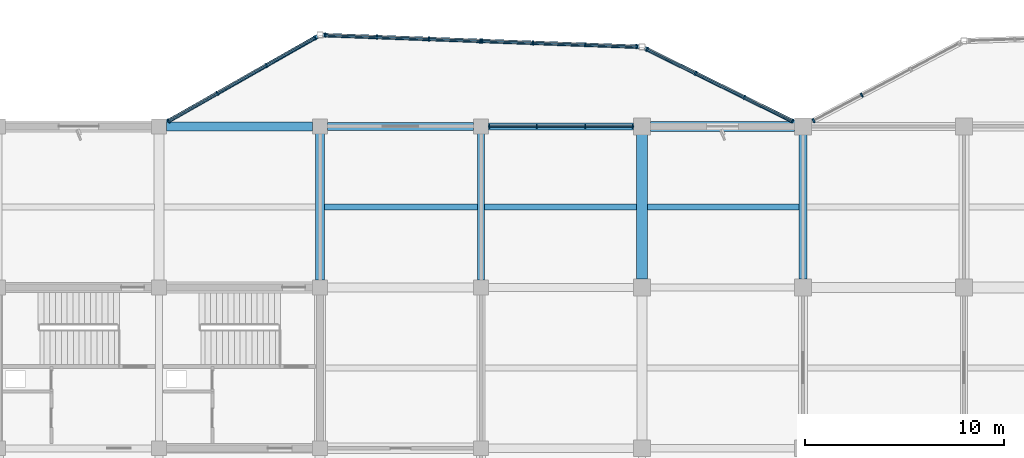
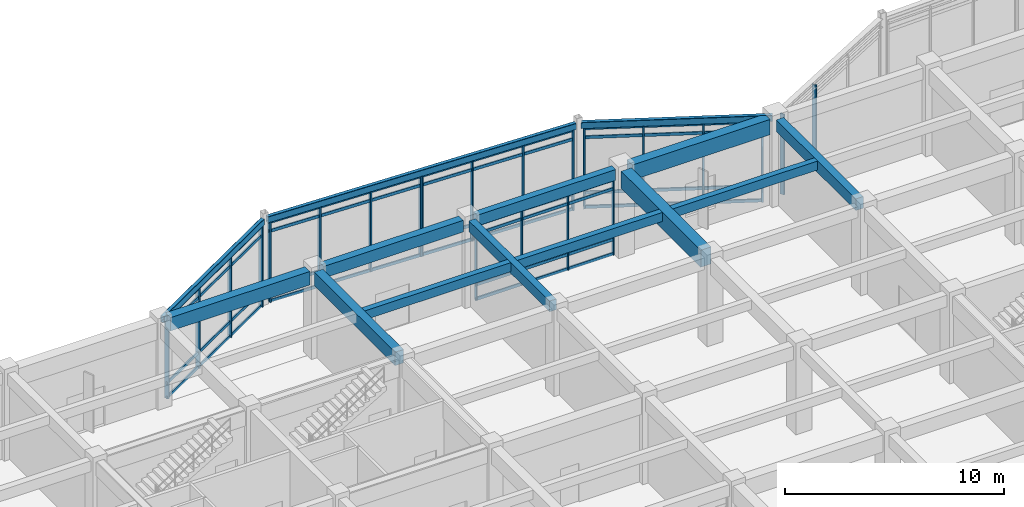
# One storey, part 47 of 99: 42 members, 14 beams, 6 elements without a shape of their own.
"""IFC4 building model written with IfcOpenShell, lengths in metres."""

from ifc_helpers import new_model, si_unit, direction, frame, origin, origin_2d, place, context, subcontext, project, spatial, rectangle, hollow_rectangle, extrude, material, layer, layer_set, material_profile, profile_set, type_object, element, aggregate, save


model = new_model("IFC4")

# Units and contexts
model_context = context("Model", 3, precision=1e-05, world=origin(), true_north=direction((0.0, 1.0)))
body_context = subcontext(model_context, "Body", "Model", "MODEL_VIEW")
ifc_project = project(units=[si_unit("LENGTHUNIT", "METRE"), si_unit("AREAUNIT", "SQUARE_METRE"), si_unit("VOLUMEUNIT", "CUBIC_METRE"), si_unit("PLANEANGLEUNIT", "RADIAN"), si_unit("MASSUNIT", "GRAM", prefix="KILO")], contexts=[model_context])

# Site, building, storey
site_placement = place(None, origin())
site = spatial("IfcSite", under=ifc_project, at=site_placement, CompositionType="ELEMENT")
building_placement = place(site_placement, origin())
building = spatial("IfcBuilding", under=site, at=building_placement, Name="Vaudrelin Polytechnic", CompositionType="ELEMENT")
storey_placement = place(building_placement, origin())
storey = spatial("IfcBuildingStorey", under=building, at=storey_placement, Name="L00", CompositionType="ELEMENT", Elevation=0.0)

# Beams
ifc_material_1 = material(Name="Concrete 40 MPa", Category="concrete")
ifc_material_profile_1 = material_profile(ifc_material_1, rectangle(XDim=0.35009765625, YDim=0.60009765625, at=origin_2d()), Name="RC350x600")
ifc_profile_set_1 = profile_set([ifc_material_profile_1], Name="Concrete 40 MPa")
beam_type_1 = type_object("IfcBeamType", Name="BM-BM-RC3560", PredefinedType="BEAM", material=ifc_profile_set_1)
beam_1_placement = place(storey_placement, frame((129.60009765625, 113.760009765625, 4.52001953125), z_axis=(0.0, 1.0, 0.0), x_axis=(-1.0, 0.0, 0.0)))
element("IfcBeam", 1, at=beam_1_placement, inside=storey, type_object=beam_type_1, Name="L00 Y-beam 17-15", PredefinedType="BEAM", context=body_context, shape_type="SweptSolid", body=[
    extrude(rectangle(XDim=0.35009765625, YDim=0.60009765625, at=origin_2d()), origin(), (0.0, 0.0, 1.0), 7.3798828125),
])
beam_2_placement = place(storey_placement, frame((129.970947265625, 121.5, 4.52001953125), z_axis=(1.0, 0.0, 0.0), x_axis=(0.0, 1.0, 0.0)))
element("IfcBeam", 2, at=beam_2_placement, inside=storey, type_object=beam_type_1, Name="L00 X-beam 17-16", PredefinedType="BEAM", context=body_context, shape_type="SweptSolid", body=[
    extrude(rectangle(XDim=0.35009765625, YDim=0.60009765625, at=origin_2d()), origin(), (0.0, 0.0, 1.0), 7.30810546875),
])
ifc_material_profile_2 = material_profile(ifc_material_1, rectangle(XDim=0.39990234375, YDim=0.64990234375, at=origin_2d()), Name="RC400x650")
ifc_profile_set_2 = profile_set([ifc_material_profile_2], Name="Concrete 40 MPa")
beam_type_2 = type_object("IfcBeamType", Name="BM-BM-RC4065", PredefinedType="BEAM", material=ifc_profile_set_2)
beam_3_placement = place(storey_placement, frame((145.800048828125, 113.81005859375, 4.4951171875), z_axis=(0.0, 1.0, 0.0), x_axis=(-1.0, 0.0, 0.0)))
element("IfcBeam", 3, at=beam_3_placement, inside=storey, type_object=beam_type_2, Name="L00 Y-beam 19-15", PredefinedType="BEAM", context=body_context, shape_type="SweptSolid", body=[
    extrude(rectangle(XDim=0.39990234375, YDim=0.64990234375, at=origin_2d()), origin(), (0.0, 0.0, 1.0), 7.280029296875),
])
ifc_material_profile_3 = material_profile(ifc_material_1, rectangle(XDim=0.449951171875, YDim=0.75, at=origin_2d()), Name="RC450x750")
ifc_profile_set_3 = profile_set([ifc_material_profile_3], Name="Concrete 40 MPa")
beam_type_3 = type_object("IfcBeamType", Name="BM-BM-RC4575", PredefinedType="BEAM", material=ifc_profile_set_3)
beam_4_placement = place(storey_placement, frame((121.5, 113.760009765625, 4.445068359375), z_axis=(0.0, 1.0, 0.0), x_axis=(-1.0, 0.0, 0.0)))
element("IfcBeam", 4, at=beam_4_placement, inside=storey, type_object=beam_type_3, Name="L00 Y-beam 16-15", PredefinedType="BEAM", context=body_context, shape_type="SweptSolid", body=[
    extrude(rectangle(XDim=0.449951171875, YDim=0.75, at=origin_2d()), origin(), (0.0, 0.0, 1.0), 7.3798828125),
])
beam_5_placement = place(storey_placement, frame((113.77099609375, 121.5, 4.445068359375), z_axis=(1.0, 0.0, 0.0), x_axis=(0.0, 1.0, 0.0)))
element("IfcBeam", 5, at=beam_5_placement, inside=storey, type_object=beam_type_3, Name="L00 X-beam 15-16", PredefinedType="BEAM", context=body_context, shape_type="SweptSolid", body=[
    extrude(rectangle(XDim=0.449951171875, YDim=0.75, at=origin_2d()), origin(), (0.0, 0.0, 1.0), 7.35791015625),
])
ifc_material_profile_4 = material_profile(ifc_material_1, rectangle(XDim=0.5, YDim=0.85009765625, at=origin_2d()), Name="RC500x850")
ifc_profile_set_4 = profile_set([ifc_material_profile_4], Name="Concrete 40 MPa")
beam_type_4 = type_object("IfcBeamType", Name="BM-BM-RC5085", PredefinedType="BEAM", material=ifc_profile_set_4)
beam_6_placement = place(storey_placement, frame((138.12109375, 121.5, 4.39501953125), z_axis=(1.0, 0.0, 0.0), x_axis=(0.0, 1.0, 0.0)))
element("IfcBeam", 6, at=beam_6_placement, inside=storey, type_object=beam_type_4, Name="L00 X-beam 18-16", PredefinedType="BEAM", context=body_context, shape_type="SweptSolid", body=[
    extrude(rectangle(XDim=0.5, YDim=0.85009765625, at=origin_2d()), origin(), (0.0, 0.0, 1.0), 7.2578125),
])
ifc_material_2 = material(Name="Concrete 50 MPa", Category="concrete")
ifc_material_profile_5 = material_profile(ifc_material_2, rectangle(XDim=0.550048828125, YDim=0.949951171875, at=origin_2d()), Name="RC550x950")
ifc_profile_set_5 = profile_set([ifc_material_profile_5], Name="Concrete 50 MPa")
beam_type_5 = type_object("IfcBeamType", Name="BM-BM-RC5595", PredefinedType="BEAM", material=ifc_profile_set_5)
beam_7_placement = place(storey_placement, frame((137.699951171875, 113.81005859375, 4.344970703125), z_axis=(0.0, 1.0, 0.0), x_axis=(-1.0, 0.0, 0.0)))
element("IfcBeam", 7, at=beam_7_placement, inside=storey, type_object=beam_type_5, Name="L00 Y-beam 18-15", PredefinedType="BEAM", context=body_context, shape_type="SweptSolid", body=[
    extrude(rectangle(XDim=0.550048828125, YDim=0.949951171875, at=origin_2d()), origin(), (0.0, 0.0, 1.0), 7.280029296875),
])
ifc_material_profile_6 = material_profile(ifc_material_1, rectangle(XDim=0.300048828125, YDim=0.5, at=origin_2d()), Name="RC300x500")
ifc_profile_set_6 = profile_set([ifc_material_profile_6], Name="Concrete 40 MPa")
beam_type_6 = type_object("IfcBeamType", Name="BM-JS-RC3050", PredefinedType="JOIST", material=ifc_profile_set_6)
beam_8_placement = place(storey_placement, frame((121.720947265625, 117.449951171875, 4.570068359375), z_axis=(1.0, 0.0, 0.0), x_axis=(0.0, 1.0, 0.0)))
element("IfcBeam", 8, at=beam_8_placement, inside=storey, type_object=beam_type_6, Name="L00 floor joist 16-15", PredefinedType="JOIST", context=body_context, shape_type="SweptSolid", body=[
    extrude(rectangle(XDim=0.300048828125, YDim=0.5, at=origin_2d()), origin(), (0.0, 0.0, 1.0), 7.7080078125),
])
beam_9_placement = place(storey_placement, frame((129.77099609375, 117.449951171875, 4.570068359375), z_axis=(1.0, 0.0, 0.0), x_axis=(0.0, 1.0, 0.0)))
element("IfcBeam", 9, at=beam_9_placement, inside=storey, type_object=beam_type_6, Name="L00 floor joist 17-15", PredefinedType="JOIST", context=body_context, shape_type="SweptSolid", body=[
    extrude(rectangle(XDim=0.300048828125, YDim=0.5, at=origin_2d()), origin(), (0.0, 0.0, 1.0), 7.657958984375),
])
beam_10_placement = place(storey_placement, frame((137.970947265625, 117.449951171875, 4.570068359375), z_axis=(1.0, 0.0, 0.0), x_axis=(0.0, 1.0, 0.0)))
element("IfcBeam", 10, at=beam_10_placement, inside=storey, type_object=beam_type_6, Name="L00 floor joist 18-15", PredefinedType="JOIST", context=body_context, shape_type="SweptSolid", body=[
    extrude(rectangle(XDim=0.300048828125, YDim=0.5, at=origin_2d()), origin(), (0.0, 0.0, 1.0), 7.633056640625),
])
ifc_material_3 = material(Name="Steel CSA G40.21 350WT", Category="steel")
ifc_material_profile_7 = material_profile(ifc_material_3, hollow_rectangle(XDim=0.202880859375, YDim=0.35595703125, WallThickness=0.0126953125, InnerFilletRadius=0.0126953125, OuterFilletRadius=0.025390625, at=origin_2d()), Name="HSS356x203x12.7")
ifc_profile_set_7 = profile_set([ifc_material_profile_7], Name="Steel CSA G40.21 350WT")
beam_type_7 = type_object("IfcBeamType", Name="BM-SP-HSS35", PredefinedType="SPANDREL", material=ifc_profile_set_7)
beam_11_placement = place(storey_placement, frame((113.521728515625, 121.569091796875, 4.64208984375), z_axis=(0.869557036598, 0.493832522322, 0.0), x_axis=(-0.493832522322, 0.869557036598, 0.0)))
element("IfcBeam", 11, at=beam_11_placement, inside=storey, type_object=beam_type_7, Name="Sculptural edge beam L00 N_OR3_B1", PredefinedType="SPANDREL", context=body_context, shape_type="SweptSolid", body=[
    extrude(hollow_rectangle(XDim=0.202880859375, YDim=0.35595703125, WallThickness=0.0126953125, InnerFilletRadius=0.0126953125, OuterFilletRadius=0.025390625, at=origin_2d()), origin(), (0.0, 0.0, 1.0), 9.03515625),
])
beam_12_placement = place(storey_placement, frame((121.639892578125, 126.0947265625, 4.64208984375), z_axis=(0.999314917736, -0.037009393279, 0.0), x_axis=(0.037009393279, 0.999314917736, 0.0)))
element("IfcBeam", 12, at=beam_12_placement, inside=storey, type_object=beam_type_7, Name="Sculptural edge beam L00 N_OR3_B2", PredefinedType="SPANDREL", context=body_context, shape_type="SweptSolid", body=[
    extrude(hollow_rectangle(XDim=0.202880859375, YDim=0.35595703125, WallThickness=0.0126953125, InnerFilletRadius=0.0126953125, OuterFilletRadius=0.025390625, at=origin_2d()), origin(), (0.0, 0.0, 1.0), 15.93115234375),
])
beam_13_placement = place(storey_placement, frame((137.825439453125, 125.43798828125, 4.64208984375), z_axis=(0.896636147208, -0.44276813291, 0.0), x_axis=(0.44276813291, 0.896636147208, 0.0)))
element("IfcBeam", 13, at=beam_13_placement, inside=storey, type_object=beam_type_7, Name="Sculptural edge beam L00 N_OR3_B3", PredefinedType="SPANDREL", context=body_context, shape_type="SweptSolid", body=[
    extrude(hollow_rectangle(XDim=0.202880859375, YDim=0.35595703125, WallThickness=0.0126953125, InnerFilletRadius=0.0126953125, OuterFilletRadius=0.025390625, at=origin_2d()), origin(), (0.0, 0.0, 1.0), 8.75390625),
])
ifc_material_profile_8 = material_profile(ifc_material_1, rectangle(XDim=0.39990234375, YDim=0.64990234375, at=origin_2d()), Name="RC400x650")
ifc_profile_set_8 = profile_set([ifc_material_profile_8], Name="Concrete 40 MPa")
beam_type_8 = type_object("IfcBeamType", Name="BM-SP-RC4065", PredefinedType="SPANDREL", material=ifc_profile_set_8)
beam_14_placement = place(storey_placement, frame((121.87109375, 121.5, 4.4951171875), z_axis=(1.0, 0.0, 0.0), x_axis=(0.0, 1.0, 0.0)))
element("IfcBeam", 14, at=beam_14_placement, inside=storey, type_object=beam_type_8, Name="L00 X-beam 16-16", PredefinedType="SPANDREL", context=body_context, shape_type="SweptSolid", body=[
    extrude(rectangle(XDim=0.39990234375, YDim=0.64990234375, at=origin_2d()), origin(), (0.0, 0.0, 1.0), 7.35791015625),
])

# Curtain wall, members
ifc_material_4 = material(Name="Thermally broken anodised aluminium AA 6063-T6 and low-e triple glazing", Category="aluminium")
ifc_layer_1 = layer(ifc_material_4, 0.199951171875)
ifc_layer_set_1 = layer_set([ifc_layer_1], Name="Thermally broken anodised aluminium AA 6063-T6 and low-e triple glazing")
curtain_wall_type_1 = type_object("IfcCurtainWallType", Name="CW-CW-LAB", PredefinedType="USERDEFINED", material=ifc_layer_set_1)
curtain_wall_1_placement = place(storey_placement, origin())
curtain_wall_1 = element("IfcCurtainWall", 15, at=curtain_wall_1_placement, inside=storey, type_object=curtain_wall_type_1, Name="Curtain wall L00 N_V4_00", ObjectType="CURTAIN WALL", PredefinedType="USERDEFINED")
ifc_material_5 = material(Name="Anodised aluminium AA 6063-T6", Category="aluminium")
ifc_material_profile_9 = material_profile(ifc_material_5, rectangle(XDim=0.06494140625, YDim=0.179931640625, at=origin_2d()), Name="CWM-65x180")
ifc_profile_set_9 = profile_set([ifc_material_profile_9], Name="Anodised aluminium AA 6063-T6")
member_type_1 = type_object("IfcMemberType", Name="MEM-CWM-180", PredefinedType="MULLION", material=ifc_profile_set_9)
member_1_placement = place(storey_placement, frame((130.012939453125, 121.5, 0.0), z_axis=(0.0, 0.0, 1.0), x_axis=(1.0, 0.0, 0.0)))
member_1 = element("IfcMember", 16, at=member_1_placement, type_object=member_type_1, Name="N_V4_00 mullion 1", PredefinedType="MULLION", context=body_context, shape_type="SweptSolid", body=[
    extrude(rectangle(XDim=0.06494140625, YDim=0.179931640625, at=origin_2d()), origin(), (0.0, 0.0, 1.0), 4.221923828125),
])
member_2_placement = place(storey_placement, frame((132.40771484375, 121.5, 0.0), z_axis=(0.0, 0.0, 1.0), x_axis=(1.0, 0.0, 0.0)))
member_2 = element("IfcMember", 17, at=member_2_placement, type_object=member_type_1, Name="N_V4_00 mullion 2", PredefinedType="MULLION", context=body_context, shape_type="SweptSolid", body=[
    extrude(rectangle(XDim=0.06494140625, YDim=0.179931640625, at=origin_2d()), origin(), (0.0, 0.0, 1.0), 4.221923828125),
])
member_3_placement = place(storey_placement, frame((134.84228515625, 121.5, 0.0), z_axis=(0.0, 0.0, 1.0), x_axis=(1.0, 0.0, 0.0)))
member_3 = element("IfcMember", 18, at=member_3_placement, type_object=member_type_1, Name="N_V4_00 mullion 3", PredefinedType="MULLION", context=body_context, shape_type="SweptSolid", body=[
    extrude(rectangle(XDim=0.06494140625, YDim=0.179931640625, at=origin_2d()), origin(), (0.0, 0.0, 1.0), 4.221923828125),
])
member_4_placement = place(storey_placement, frame((137.237060546875, 121.5, 0.0), z_axis=(0.0, 0.0, 1.0), x_axis=(1.0, 0.0, 0.0)))
member_4 = element("IfcMember", 19, at=member_4_placement, type_object=member_type_1, Name="N_V4_00 mullion 4", PredefinedType="MULLION", context=body_context, shape_type="SweptSolid", body=[
    extrude(rectangle(XDim=0.06494140625, YDim=0.179931640625, at=origin_2d()), origin(), (0.0, 0.0, 1.0), 4.221923828125),
])

curtain_wall_2_placement = place(storey_placement, origin())
curtain_wall_2 = element("IfcCurtainWall", 20, at=curtain_wall_2_placement, inside=storey, type_object=curtain_wall_type_1, Name="Curtain wall L00 NEP_1_0", ObjectType="CURTAIN WALL", PredefinedType="USERDEFINED")
ifc_material_profile_10 = material_profile(ifc_material_5, rectangle(XDim=0.074951171875, YDim=0.219970703125, at=origin_2d()), Name="CWM-75x220")
ifc_profile_set_10 = profile_set([ifc_material_profile_10], Name="Anodised aluminium AA 6063-T6")
member_type_2 = type_object("IfcMemberType", Name="MEM-CWM-220", PredefinedType="MULLION", material=ifc_profile_set_10)
member_5_placement = place(storey_placement, frame((146.33544921875, 121.7841796875, 0.0), z_axis=(0.0, 0.0, 1.0), x_axis=(0.883256373642, 0.468890369298, 0.0)))
member_5 = element("IfcMember", 21, at=member_5_placement, type_object=member_type_2, Name="NEP_1_0 mullion 1", PredefinedType="MULLION", context=body_context, shape_type="SweptSolid", body=[
    extrude(rectangle(XDim=0.074951171875, YDim=0.219970703125, at=origin_2d()), origin(), (0.0, 0.0, 1.0), 4.489990234375),
])
member_6_placement = place(storey_placement, frame((148.757568359375, 123.070068359375, 0.0), z_axis=(0.0, 0.0, 1.0), x_axis=(0.883256373642, 0.468890369298, 0.0)))
member_6 = element("IfcMember", 22, at=member_6_placement, type_object=member_type_2, Name="NEP_1_0 mullion 2", PredefinedType="MULLION", context=body_context, shape_type="SweptSolid", body=[
    extrude(rectangle(XDim=0.074951171875, YDim=0.219970703125, at=origin_2d()), origin(), (0.0, 0.0, 1.0), 4.489990234375),
])
aggregate(curtain_wall_2, [member_5, member_6])

ifc_layer_2 = layer(ifc_material_4, 0.199951171875)
ifc_layer_set_2 = layer_set([ifc_layer_2], Name="Thermally broken anodised aluminium AA 6063-T6 and low-e triple glazing")
curtain_wall_type_2 = type_object("IfcCurtainWallType", Name="CW-CW-STU", PredefinedType="USERDEFINED", material=ifc_layer_set_2)
curtain_wall_3_placement = place(storey_placement, origin())
curtain_wall_3 = element("IfcCurtainWall", 23, at=curtain_wall_3_placement, inside=storey, type_object=curtain_wall_type_2, Name="Curtain wall L00 N_OR3_1_0", ObjectType="CURTAIN WALL", PredefinedType="USERDEFINED")
member_7_placement = place(storey_placement, frame((113.8837890625, 121.774658203125, 0.0), z_axis=(0.0, 0.0, 1.0), x_axis=(0.869561147785, 0.493825283135, 0.0)))
member_7 = element("IfcMember", 24, at=member_7_placement, type_object=member_type_2, Name="N_OR3_1_0 mullion 1", PredefinedType="MULLION", context=body_context, shape_type="SweptSolid", body=[
    extrude(rectangle(XDim=0.074951171875, YDim=0.219970703125, at=origin_2d()), origin(), (0.0, 0.0, 1.0), 4.489990234375),
])
member_8_placement = place(storey_placement, frame((116.32373046875, 123.160400390625, 0.0), z_axis=(0.0, 0.0, 1.0), x_axis=(0.869561147785, 0.493825283135, 0.0)))
member_8 = element("IfcMember", 25, at=member_8_placement, type_object=member_type_2, Name="N_OR3_1_0 mullion 2", PredefinedType="MULLION", context=body_context, shape_type="SweptSolid", body=[
    extrude(rectangle(XDim=0.074951171875, YDim=0.219970703125, at=origin_2d()), origin(), (0.0, 0.0, 1.0), 4.489990234375),
])
member_9_placement = place(storey_placement, frame((118.798583984375, 124.56591796875, 0.0), z_axis=(0.0, 0.0, 1.0), x_axis=(0.869561147785, 0.493825283135, 0.0)))
member_9 = element("IfcMember", 26, at=member_9_placement, type_object=member_type_2, Name="N_OR3_1_0 mullion 3", PredefinedType="MULLION", context=body_context, shape_type="SweptSolid", body=[
    extrude(rectangle(XDim=0.074951171875, YDim=0.219970703125, at=origin_2d()), origin(), (0.0, 0.0, 1.0), 4.489990234375),
])
member_10_placement = place(storey_placement, frame((121.23876953125, 125.95166015625, 0.0), z_axis=(0.0, 0.0, 1.0), x_axis=(0.869561147785, 0.493825283135, 0.0)))
member_10 = element("IfcMember", 27, at=member_10_placement, type_object=member_type_2, Name="N_OR3_1_0 mullion 4", PredefinedType="MULLION", context=body_context, shape_type="SweptSolid", body=[
    extrude(rectangle(XDim=0.074951171875, YDim=0.219970703125, at=origin_2d()), origin(), (0.0, 0.0, 1.0), 4.489990234375),
])

curtain_wall_4_placement = place(storey_placement, origin())
curtain_wall_4 = element("IfcCurtainWall", 28, at=curtain_wall_4_placement, inside=storey, type_object=curtain_wall_type_2, Name="Curtain wall L00 N_OR3_2_0", ObjectType="CURTAIN WALL", PredefinedType="USERDEFINED")
member_11_placement = place(storey_placement, frame((121.77734375, 126.089599609375, 0.0), z_axis=(0.0, 0.0, 1.0), x_axis=(0.999314868587, -0.037010720341, 0.0)))
member_11 = element("IfcMember", 29, at=member_11_placement, type_object=member_type_2, Name="N_OR3_2_0 mullion 1", PredefinedType="MULLION", context=body_context, shape_type="SweptSolid", body=[
    extrude(rectangle(XDim=0.074951171875, YDim=0.219970703125, at=origin_2d()), origin(), (0.0, 0.0, 1.0), 4.489990234375),
])
member_12_placement = place(storey_placement, frame((124.3583984375, 125.994140625, 0.0), z_axis=(0.0, 0.0, 1.0), x_axis=(0.999314868587, -0.037010720341, 0.0)))
member_12 = element("IfcMember", 30, at=member_12_placement, type_object=member_type_2, Name="N_OR3_2_0 mullion 2", PredefinedType="MULLION", context=body_context, shape_type="SweptSolid", body=[
    extrude(rectangle(XDim=0.074951171875, YDim=0.219970703125, at=origin_2d()), origin(), (0.0, 0.0, 1.0), 4.489990234375),
])
member_13_placement = place(storey_placement, frame((126.97900390625, 125.897216796875, 0.0), z_axis=(0.0, 0.0, 1.0), x_axis=(0.999314868587, -0.037010720341, 0.0)))
member_13 = element("IfcMember", 31, at=member_13_placement, type_object=member_type_2, Name="N_OR3_2_0 mullion 3", PredefinedType="MULLION", context=body_context, shape_type="SweptSolid", body=[
    extrude(rectangle(XDim=0.074951171875, YDim=0.219970703125, at=origin_2d()), origin(), (0.0, 0.0, 1.0), 4.489990234375),
])
member_14_placement = place(storey_placement, frame((129.56005859375, 125.801513671875, 0.0), z_axis=(0.0, 0.0, 1.0), x_axis=(0.999314868587, -0.037010720341, 0.0)))
member_14 = element("IfcMember", 32, at=member_14_placement, type_object=member_type_2, Name="N_OR3_2_0 mullion 4", PredefinedType="MULLION", context=body_context, shape_type="SweptSolid", body=[
    extrude(rectangle(XDim=0.074951171875, YDim=0.219970703125, at=origin_2d()), origin(), (0.0, 0.0, 1.0), 4.489990234375),
])

curtain_wall_5_placement = place(storey_placement, origin())
curtain_wall_5 = element("IfcCurtainWall", 33, at=curtain_wall_5_placement, inside=storey, type_object=curtain_wall_type_2, Name="Curtain wall L00 N_OR3_2_1", ObjectType="CURTAIN WALL", PredefinedType="USERDEFINED")
member_15_placement = place(storey_placement, frame((129.639892578125, 125.798583984375, 0.0), z_axis=(0.0, 0.0, 1.0), x_axis=(0.999314868587, -0.037010720341, 0.0)))
member_15 = element("IfcMember", 34, at=member_15_placement, type_object=member_type_2, Name="N_OR3_2_1 mullion 1", PredefinedType="MULLION", context=body_context, shape_type="SweptSolid", body=[
    extrude(rectangle(XDim=0.074951171875, YDim=0.219970703125, at=origin_2d()), origin(), (0.0, 0.0, 1.0), 4.489990234375),
])
member_16_placement = place(storey_placement, frame((132.220947265625, 125.702880859375, 0.0), z_axis=(0.0, 0.0, 1.0), x_axis=(0.999314868587, -0.037010720341, 0.0)))
member_16 = element("IfcMember", 35, at=member_16_placement, type_object=member_type_2, Name="N_OR3_2_1 mullion 2", PredefinedType="MULLION", context=body_context, shape_type="SweptSolid", body=[
    extrude(rectangle(XDim=0.074951171875, YDim=0.219970703125, at=origin_2d()), origin(), (0.0, 0.0, 1.0), 4.489990234375),
])
member_17_placement = place(storey_placement, frame((134.841796875, 125.60595703125, 0.0), z_axis=(0.0, 0.0, 1.0), x_axis=(0.999314868587, -0.037010720341, 0.0)))
member_17 = element("IfcMember", 36, at=member_17_placement, type_object=member_type_2, Name="N_OR3_2_1 mullion 3", PredefinedType="MULLION", context=body_context, shape_type="SweptSolid", body=[
    extrude(rectangle(XDim=0.074951171875, YDim=0.219970703125, at=origin_2d()), origin(), (0.0, 0.0, 1.0), 4.489990234375),
])
member_18_placement = place(storey_placement, frame((137.422607421875, 125.51025390625, 0.0), z_axis=(0.0, 0.0, 1.0), x_axis=(0.999314868587, -0.037010720341, 0.0)))
member_18 = element("IfcMember", 37, at=member_18_placement, type_object=member_type_2, Name="N_OR3_2_1 mullion 4", PredefinedType="MULLION", context=body_context, shape_type="SweptSolid", body=[
    extrude(rectangle(XDim=0.074951171875, YDim=0.219970703125, at=origin_2d()), origin(), (0.0, 0.0, 1.0), 4.489990234375),
])

curtain_wall_6_placement = place(storey_placement, origin())
curtain_wall_6 = element("IfcCurtainWall", 38, at=curtain_wall_6_placement, inside=storey, type_object=curtain_wall_type_2, Name="Curtain wall L00 N_OR3_3_0", ObjectType="CURTAIN WALL", PredefinedType="USERDEFINED")
member_19_placement = place(storey_placement, frame((137.964599609375, 125.369384765625, 0.0), z_axis=(0.0, 0.0, 1.0), x_axis=(0.896627986074, -0.442784659386, 0.0)))
member_19 = element("IfcMember", 39, at=member_19_placement, type_object=member_type_2, Name="N_OR3_3_0 mullion 1", PredefinedType="MULLION", context=body_context, shape_type="SweptSolid", body=[
    extrude(rectangle(XDim=0.074951171875, YDim=0.219970703125, at=origin_2d()), origin(), (0.0, 0.0, 1.0), 4.489990234375),
])
member_20_placement = place(storey_placement, frame((140.385498046875, 124.173828125, 0.0), z_axis=(0.0, 0.0, 1.0), x_axis=(0.896627986074, -0.442784659386, 0.0)))
member_20 = element("IfcMember", 40, at=member_20_placement, type_object=member_type_2, Name="N_OR3_3_0 mullion 2", PredefinedType="MULLION", context=body_context, shape_type="SweptSolid", body=[
    extrude(rectangle(XDim=0.074951171875, YDim=0.219970703125, at=origin_2d()), origin(), (0.0, 0.0, 1.0), 4.489990234375),
])
member_21_placement = place(storey_placement, frame((142.842041015625, 122.960693359375, 0.0), z_axis=(0.0, 0.0, 1.0), x_axis=(0.896627986074, -0.442784659386, 0.0)))
member_21 = element("IfcMember", 41, at=member_21_placement, type_object=member_type_2, Name="N_OR3_3_0 mullion 3", PredefinedType="MULLION", context=body_context, shape_type="SweptSolid", body=[
    extrude(rectangle(XDim=0.074951171875, YDim=0.219970703125, at=origin_2d()), origin(), (0.0, 0.0, 1.0), 4.489990234375),
])
member_22_placement = place(storey_placement, frame((145.262939453125, 121.76513671875, 0.0), z_axis=(0.0, 0.0, 1.0), x_axis=(0.896627986074, -0.442784659386, 0.0)))
member_22 = element("IfcMember", 42, at=member_22_placement, type_object=member_type_2, Name="N_OR3_3_0 mullion 4", PredefinedType="MULLION", context=body_context, shape_type="SweptSolid", body=[
    extrude(rectangle(XDim=0.074951171875, YDim=0.219970703125, at=origin_2d()), origin(), (0.0, 0.0, 1.0), 4.489990234375),
])

# Member
ifc_material_profile_11 = material_profile(ifc_material_5, rectangle(XDim=0.074951171875, YDim=0.1650390625, at=origin_2d()), Name="CWT-75x165")
ifc_profile_set_11 = profile_set([ifc_material_profile_11], Name="Anodised aluminium AA 6063-T6")
member_type_3 = type_object("IfcMemberType", Name="MEM-CWT-165", PredefinedType="USERDEFINED", material=ifc_profile_set_11)
member_23_placement = place(storey_placement, frame((129.972900390625, 121.5, 0.050048828125), z_axis=(1.0, 0.0, 0.0), x_axis=(0.0, 1.0, 0.0)))
member_23 = element("IfcMember", 43, at=member_23_placement, type_object=member_type_3, Name="N_V4_00 transom 1", ObjectType="TRANSOM", PredefinedType="USERDEFINED", context=body_context, shape_type="SweptSolid", body=[
    extrude(rectangle(XDim=0.074951171875, YDim=0.1650390625, at=origin_2d()), origin(), (0.0, 0.0, 1.0), 7.30419921875),
])

member_24_placement = place(storey_placement, frame((129.972900390625, 121.5, 0.85009765625), z_axis=(1.0, 0.0, 0.0), x_axis=(0.0, 1.0, 0.0)))
member_24 = element("IfcMember", 44, at=member_24_placement, type_object=member_type_3, Name="N_V4_00 transom 2", ObjectType="TRANSOM", PredefinedType="USERDEFINED", context=body_context, shape_type="SweptSolid", body=[
    extrude(rectangle(XDim=0.074951171875, YDim=0.1650390625, at=origin_2d()), origin(), (0.0, 0.0, 1.0), 7.30419921875),
])

member_25_placement = place(storey_placement, frame((129.972900390625, 121.5, 3.672119140625), z_axis=(1.0, 0.0, 0.0), x_axis=(0.0, 1.0, 0.0)))
member_25 = element("IfcMember", 45, at=member_25_placement, type_object=member_type_3, Name="N_V4_00 transom 3", ObjectType="TRANSOM", PredefinedType="USERDEFINED", context=body_context, shape_type="SweptSolid", body=[
    extrude(rectangle(XDim=0.074951171875, YDim=0.1650390625, at=origin_2d()), origin(), (0.0, 0.0, 1.0), 7.30419921875),
])

member_26_placement = place(storey_placement, frame((129.972900390625, 121.5, 4.172119140625), z_axis=(1.0, 0.0, 0.0), x_axis=(0.0, 1.0, 0.0)))
member_26 = element("IfcMember", 46, at=member_26_placement, type_object=member_type_3, Name="N_V4_00 transom 4", ObjectType="TRANSOM", PredefinedType="USERDEFINED", context=body_context, shape_type="SweptSolid", body=[
    extrude(rectangle(XDim=0.074951171875, YDim=0.1650390625, at=origin_2d()), origin(), (0.0, 0.0, 1.0), 7.30419921875),
])

aggregate(curtain_wall_1, [member_1, member_2, member_3, member_4, member_23, member_24, member_25, member_26])

member_27_placement = place(storey_placement, frame((113.848876953125, 121.7548828125, 0.050048828125), z_axis=(0.869561485633, 0.493824688228, 0.0), x_axis=(-0.493824688228, 0.869561485633, 0.0)))
member_27 = element("IfcMember", 47, at=member_27_placement, type_object=member_type_3, Name="N_OR3_1_0 transom 1", ObjectType="TRANSOM", PredefinedType="USERDEFINED", context=body_context, shape_type="SweptSolid", body=[
    extrude(rectangle(XDim=0.074951171875, YDim=0.1650390625, at=origin_2d()), origin(), (0.0, 0.0, 1.0), 8.53857421875),
])

member_28_placement = place(storey_placement, frame((113.848876953125, 121.7548828125, 0.85009765625), z_axis=(0.869561485633, 0.493824688228, 0.0), x_axis=(-0.493824688228, 0.869561485633, 0.0)))
member_28 = element("IfcMember", 48, at=member_28_placement, type_object=member_type_3, Name="N_OR3_1_0 transom 2", ObjectType="TRANSOM", PredefinedType="USERDEFINED", context=body_context, shape_type="SweptSolid", body=[
    extrude(rectangle(XDim=0.074951171875, YDim=0.1650390625, at=origin_2d()), origin(), (0.0, 0.0, 1.0), 8.53857421875),
])

member_29_placement = place(storey_placement, frame((113.848876953125, 121.7548828125, 3.93994140625), z_axis=(0.869561485633, 0.493824688228, 0.0), x_axis=(-0.493824688228, 0.869561485633, 0.0)))
member_29 = element("IfcMember", 49, at=member_29_placement, type_object=member_type_3, Name="N_OR3_1_0 transom 3", ObjectType="TRANSOM", PredefinedType="USERDEFINED", context=body_context, shape_type="SweptSolid", body=[
    extrude(rectangle(XDim=0.074951171875, YDim=0.1650390625, at=origin_2d()), origin(), (0.0, 0.0, 1.0), 8.53857421875),
])

member_30_placement = place(storey_placement, frame((113.848876953125, 121.7548828125, 4.43994140625), z_axis=(0.869561485633, 0.493824688228, 0.0), x_axis=(-0.493824688228, 0.869561485633, 0.0)))
member_30 = element("IfcMember", 50, at=member_30_placement, type_object=member_type_3, Name="N_OR3_1_0 transom 4", ObjectType="TRANSOM", PredefinedType="USERDEFINED", context=body_context, shape_type="SweptSolid", body=[
    extrude(rectangle(XDim=0.074951171875, YDim=0.1650390625, at=origin_2d()), origin(), (0.0, 0.0, 1.0), 8.53857421875),
])

aggregate(curtain_wall_3, [member_7, member_8, member_9, member_10, member_27, member_28, member_29, member_30])

member_31_placement = place(storey_placement, frame((121.7373046875, 126.09130859375, 0.050048828125), z_axis=(0.999314621224, -0.037017398718, 0.0), x_axis=(0.037017398718, 0.999314621224, 0.0)))
member_31 = element("IfcMember", 51, at=member_31_placement, type_object=member_type_3, Name="N_OR3_2_0 transom 1", ObjectType="TRANSOM", PredefinedType="USERDEFINED", context=body_context, shape_type="SweptSolid", body=[
    extrude(rectangle(XDim=0.074951171875, YDim=0.1650390625, at=origin_2d()), origin(), (0.0, 0.0, 1.0), 7.8681640625),
])

member_32_placement = place(storey_placement, frame((121.7373046875, 126.09130859375, 0.85009765625), z_axis=(0.999314621224, -0.037017398718, 0.0), x_axis=(0.037017398718, 0.999314621224, 0.0)))
member_32 = element("IfcMember", 52, at=member_32_placement, type_object=member_type_3, Name="N_OR3_2_0 transom 2", ObjectType="TRANSOM", PredefinedType="USERDEFINED", context=body_context, shape_type="SweptSolid", body=[
    extrude(rectangle(XDim=0.074951171875, YDim=0.1650390625, at=origin_2d()), origin(), (0.0, 0.0, 1.0), 7.8681640625),
])

member_33_placement = place(storey_placement, frame((121.7373046875, 126.09130859375, 3.93994140625), z_axis=(0.999314621224, -0.037017398718, 0.0), x_axis=(0.037017398718, 0.999314621224, 0.0)))
member_33 = element("IfcMember", 53, at=member_33_placement, type_object=member_type_3, Name="N_OR3_2_0 transom 3", ObjectType="TRANSOM", PredefinedType="USERDEFINED", context=body_context, shape_type="SweptSolid", body=[
    extrude(rectangle(XDim=0.074951171875, YDim=0.1650390625, at=origin_2d()), origin(), (0.0, 0.0, 1.0), 7.8681640625),
])

member_34_placement = place(storey_placement, frame((121.7373046875, 126.09130859375, 4.43994140625), z_axis=(0.999314621224, -0.037017398718, 0.0), x_axis=(0.037017398718, 0.999314621224, 0.0)))
member_34 = element("IfcMember", 54, at=member_34_placement, type_object=member_type_3, Name="N_OR3_2_0 transom 4", ObjectType="TRANSOM", PredefinedType="USERDEFINED", context=body_context, shape_type="SweptSolid", body=[
    extrude(rectangle(XDim=0.074951171875, YDim=0.1650390625, at=origin_2d()), origin(), (0.0, 0.0, 1.0), 7.8681640625),
])

aggregate(curtain_wall_4, [member_11, member_12, member_13, member_14, member_31, member_32, member_33, member_34])

member_35_placement = place(storey_placement, frame((129.60009765625, 125.800048828125, 0.050048828125), z_axis=(0.999314578704, -0.037018546573, 0.0), x_axis=(0.037018546573, 0.999314578704, 0.0)))
member_35 = element("IfcMember", 55, at=member_35_placement, type_object=member_type_3, Name="N_OR3_2_1 transom 1", ObjectType="TRANSOM", PredefinedType="USERDEFINED", context=body_context, shape_type="SweptSolid", body=[
    extrude(rectangle(XDim=0.074951171875, YDim=0.1650390625, at=origin_2d()), origin(), (0.0, 0.0, 1.0), 7.867919921875),
])

member_36_placement = place(storey_placement, frame((129.60009765625, 125.800048828125, 0.85009765625), z_axis=(0.999314578704, -0.037018546573, 0.0), x_axis=(0.037018546573, 0.999314578704, 0.0)))
member_36 = element("IfcMember", 56, at=member_36_placement, type_object=member_type_3, Name="N_OR3_2_1 transom 2", ObjectType="TRANSOM", PredefinedType="USERDEFINED", context=body_context, shape_type="SweptSolid", body=[
    extrude(rectangle(XDim=0.074951171875, YDim=0.1650390625, at=origin_2d()), origin(), (0.0, 0.0, 1.0), 7.867919921875),
])

member_37_placement = place(storey_placement, frame((129.60009765625, 125.800048828125, 3.93994140625), z_axis=(0.999314578704, -0.037018546573, 0.0), x_axis=(0.037018546573, 0.999314578704, 0.0)))
member_37 = element("IfcMember", 57, at=member_37_placement, type_object=member_type_3, Name="N_OR3_2_1 transom 3", ObjectType="TRANSOM", PredefinedType="USERDEFINED", context=body_context, shape_type="SweptSolid", body=[
    extrude(rectangle(XDim=0.074951171875, YDim=0.1650390625, at=origin_2d()), origin(), (0.0, 0.0, 1.0), 7.867919921875),
])

member_38_placement = place(storey_placement, frame((129.60009765625, 125.800048828125, 4.43994140625), z_axis=(0.999314578704, -0.037018546573, 0.0), x_axis=(0.037018546573, 0.999314578704, 0.0)))
member_38 = element("IfcMember", 58, at=member_38_placement, type_object=member_type_3, Name="N_OR3_2_1 transom 4", ObjectType="TRANSOM", PredefinedType="USERDEFINED", context=body_context, shape_type="SweptSolid", body=[
    extrude(rectangle(XDim=0.074951171875, YDim=0.1650390625, at=origin_2d()), origin(), (0.0, 0.0, 1.0), 7.867919921875),
])

aggregate(curtain_wall_5, [member_15, member_16, member_17, member_18, member_35, member_36, member_37, member_38])

member_39_placement = place(storey_placement, frame((137.9287109375, 125.38720703125, 0.050048828125), z_axis=(0.896626056519, -0.442788566668, 0.0), x_axis=(0.442788566668, 0.896626056519, 0.0)))
member_39 = element("IfcMember", 59, at=member_39_placement, type_object=member_type_3, Name="N_OR3_3_0 transom 1", ObjectType="TRANSOM", PredefinedType="USERDEFINED", context=body_context, shape_type="SweptSolid", body=[
    extrude(rectangle(XDim=0.074951171875, YDim=0.1650390625, at=origin_2d()), origin(), (0.0, 0.0, 1.0), 8.2197265625),
])

member_40_placement = place(storey_placement, frame((137.9287109375, 125.38720703125, 0.85009765625), z_axis=(0.896626056519, -0.442788566668, 0.0), x_axis=(0.442788566668, 0.896626056519, 0.0)))
member_40 = element("IfcMember", 60, at=member_40_placement, type_object=member_type_3, Name="N_OR3_3_0 transom 2", ObjectType="TRANSOM", PredefinedType="USERDEFINED", context=body_context, shape_type="SweptSolid", body=[
    extrude(rectangle(XDim=0.074951171875, YDim=0.1650390625, at=origin_2d()), origin(), (0.0, 0.0, 1.0), 8.2197265625),
])

member_41_placement = place(storey_placement, frame((137.9287109375, 125.38720703125, 3.93994140625), z_axis=(0.896626056519, -0.442788566668, 0.0), x_axis=(0.442788566668, 0.896626056519, 0.0)))
member_41 = element("IfcMember", 61, at=member_41_placement, type_object=member_type_3, Name="N_OR3_3_0 transom 3", ObjectType="TRANSOM", PredefinedType="USERDEFINED", context=body_context, shape_type="SweptSolid", body=[
    extrude(rectangle(XDim=0.074951171875, YDim=0.1650390625, at=origin_2d()), origin(), (0.0, 0.0, 1.0), 8.2197265625),
])

member_42_placement = place(storey_placement, frame((137.9287109375, 125.38720703125, 4.43994140625), z_axis=(0.896626056519, -0.442788566668, 0.0), x_axis=(0.442788566668, 0.896626056519, 0.0)))
member_42 = element("IfcMember", 62, at=member_42_placement, type_object=member_type_3, Name="N_OR3_3_0 transom 4", ObjectType="TRANSOM", PredefinedType="USERDEFINED", context=body_context, shape_type="SweptSolid", body=[
    extrude(rectangle(XDim=0.074951171875, YDim=0.1650390625, at=origin_2d()), origin(), (0.0, 0.0, 1.0), 8.2197265625),
])

aggregate(curtain_wall_6, [member_19, member_20, member_21, member_22, member_39, member_40, member_41, member_42])

save(model, "model.ifc")
